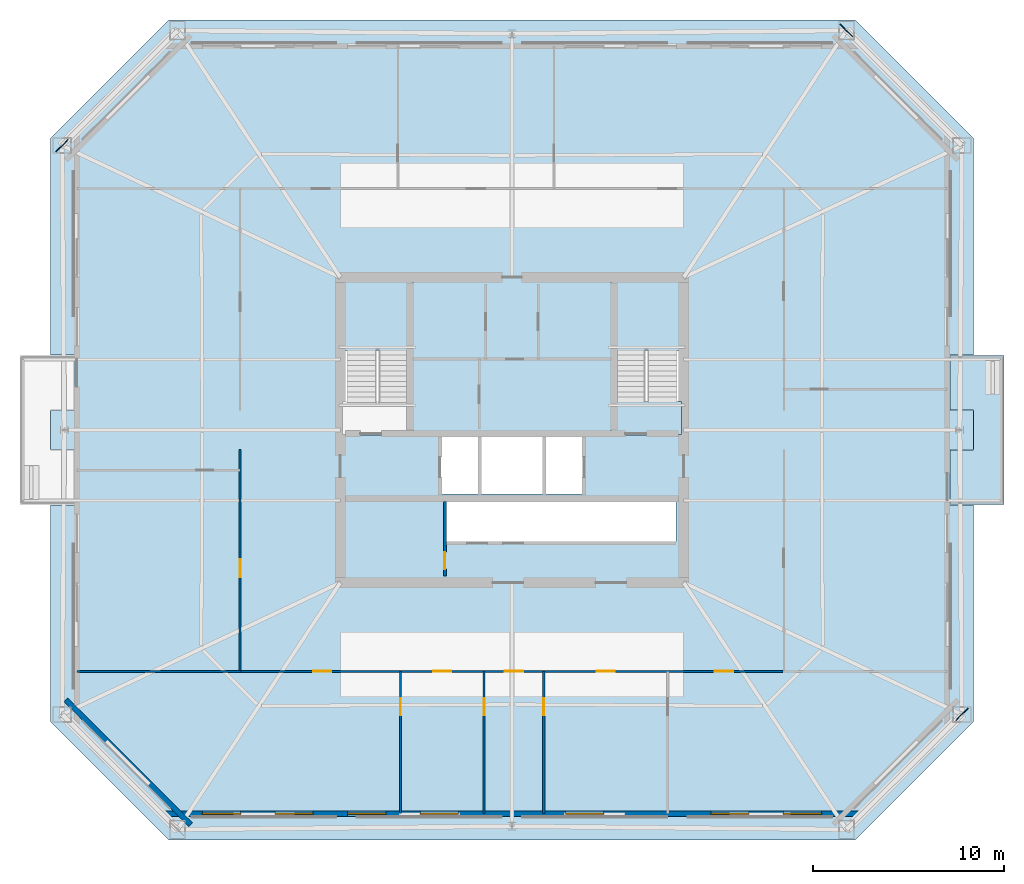
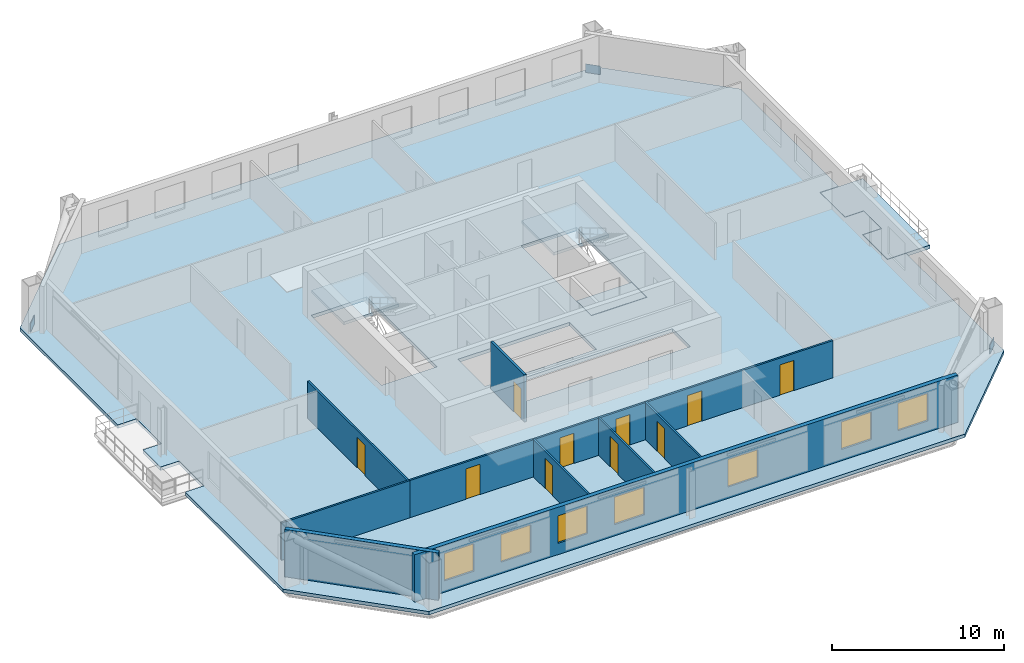
# One storey, part 2 of 8: 10 doors, 9 walls, 7 windows, 5 slabs, 3 plates, 17 openings, 2 elements without a shape of their own.
"""IFC4 building model written with IfcOpenShell, lengths in metres."""

import ifcopenshell
import ifcopenshell.guid

model = None  # the IFC model being written
_history = None  # IfcOwnerHistory: only IFC2X3 demands one
_inside = {}  # id of a spatial element -> (the spatial element, [elements in it])
_under = {}  # id of a project, library or spatial element -> (it, [spatial elements below it])
_declared = {}  # id of a project -> (the project, [libraries it declares])
_typed = {}  # id of a type object -> (the type object, [elements of that type])
_made_of = {}  # id of a material, layer set ... -> (it, [elements and type objects made of it])


def new_model(schema):
    """Start an empty IFC model of exactly this schema.

    Asked for "IFC4X3", IfcOpenShell would pick the latest addendum, in which some entities
    have other attributes; the version numbers below select the first issue.
    IFC2X3 requires an IfcOwnerHistory on every rooted entity: one is made here for all.
    """
    global model, _history
    if schema == "IFC4X3":
        model = ifcopenshell.file(schema_version=(4, 3, 0, 0))
    else:
        model = ifcopenshell.file(schema=schema)
    _inside.clear()
    _under.clear()
    _declared.clear()
    _typed.clear()
    _made_of.clear()
    _history = None
    if model.schema == "IFC2X3":
        org = make("IfcOrganization", Name="unknown")
        user = make(
            "IfcPersonAndOrganization",
            ThePerson=make("IfcPerson", FamilyName="unknown"),
            TheOrganization=org,
        )
        app = make(
            "IfcApplication",
            ApplicationDeveloper=org,
            Version="unknown",
            ApplicationFullName="unknown",
            ApplicationIdentifier="unknown",
        )
        _history = make(
            "IfcOwnerHistory",
            OwningUser=user,
            OwningApplication=app,
            ChangeAction="ADDED",
            CreationDate=0,
        )
    return model


def make(cls, **values):
    """One entity of the class cls with the attributes given. An attribute that is None is left unset."""
    return model.create_entity(
        cls, **{name: value for name, value in values.items() if value is not None}
    )


def rooted(cls, **values):
    """An entity with a GlobalId (a new one), such as an element, a storey or a relation."""
    return make(cls, GlobalId=ifcopenshell.guid.new(), OwnerHistory=_history, **values)


def si_unit(unit_type, name, prefix=None):
    """IfcSIUnit, for example si_unit("LENGTHUNIT", "METRE", prefix="MILLI")."""
    return make("IfcSIUnit", UnitType=unit_type, Prefix=prefix, Name=name)


def assignment(units):
    """IfcUnitAssignment: the units of a project."""
    return None if units is None else make("IfcUnitAssignment", Units=units)


def point(xyz):
    """IfcCartesianPoint."""
    return None if xyz is None else make("IfcCartesianPoint", Coordinates=xyz)


def direction(xyz):
    """IfcDirection."""
    return None if xyz is None else make("IfcDirection", DirectionRatios=xyz)


def frame(location, z_axis=None, x_axis=None):
    """IfcAxis2Placement3D, a coordinate frame: its origin and axes. An axis left out is left unset."""
    return make(
        "IfcAxis2Placement3D",
        Location=point(location),
        Axis=direction(z_axis),
        RefDirection=direction(x_axis),
    )


def frame_2d(location, x_axis=None):
    """IfcAxis2Placement2D, a coordinate frame in the plane: its origin and x axis."""
    return make(
        "IfcAxis2Placement2D", Location=point(location), RefDirection=direction(x_axis)
    )


def origin():
    """The frame at (0, 0, 0) with its axes left unset."""
    return frame((0.0, 0.0, 0.0))


def origin_2d():
    """The frame at (0, 0) in the plane with its x axis left unset."""
    return frame_2d((0.0, 0.0))


def place(relative_to, where):
    """IfcLocalPlacement: puts the frame where relative to a parent placement (None: the world)."""
    return make(
        "IfcLocalPlacement", PlacementRelTo=relative_to, RelativePlacement=where
    )


def context(
    kind, dimensions, precision=None, world=None, true_north=None, identifier=None
):
    """IfcGeometricRepresentationContext, for example the 3D "Model" context."""
    return make(
        "IfcGeometricRepresentationContext",
        ContextIdentifier=identifier,
        ContextType=kind,
        CoordinateSpaceDimension=dimensions,
        Precision=precision,
        WorldCoordinateSystem=world,
        TrueNorth=true_north,
    )


def subcontext(parent, identifier, kind, view, scale=None):
    """IfcGeometricRepresentationSubContext, for example "Body" below "Model"."""
    return make(
        "IfcGeometricRepresentationSubContext",
        ContextIdentifier=identifier,
        ContextType=kind,
        ParentContext=parent,
        TargetScale=scale,
        TargetView=view,
    )


def project(units=None, contexts=None):
    """IfcProject with its units and contexts."""
    return rooted(
        "IfcProject",
        Name="project",
        RepresentationContexts=contexts,
        UnitsInContext=assignment(units),
    )


def spatial(cls, under=None, at=None, **own):
    """A site, building, storey or space (cls), placed at a placement, below another one or the project."""
    s = rooted(cls, ObjectPlacement=at, **own)
    if under is not None:
        _under.setdefault(under.id(), (under, []))[1].append(s)
    return s


def polyline(points):
    """IfcPolyline through the points."""
    return make("IfcPolyline", Points=[point(p) for p in points])


def profile(cls, at=None, kind="AREA", **sizes):
    """A parametric profile (cls). Its sizes go by their IFC names, for example OverallWidth=200.0."""
    return make(cls, ProfileType=kind, Position=at, **sizes)


def rectangle(**sizes):
    """IfcRectangleProfileDef."""
    return profile("IfcRectangleProfileDef", **sizes)


def outline(outer, holes=None, kind="AREA"):
    """IfcArbitraryClosedProfileDef: a profile drawn as a closed curve; with holes, ...WithVoids."""
    if holes is None:
        return make("IfcArbitraryClosedProfileDef", ProfileType=kind, OuterCurve=outer)
    return make(
        "IfcArbitraryProfileDefWithVoids",
        ProfileType=kind,
        OuterCurve=outer,
        InnerCurves=holes,
    )


def extrude(swept, where, along, depth):
    """IfcExtrudedAreaSolid: the profile swept, set in the frame where, extruded along a direction by depth."""
    return make(
        "IfcExtrudedAreaSolid",
        SweptArea=swept,
        Position=where,
        ExtrudedDirection=direction(along),
        Depth=depth,
    )


def shape(context_of_items, identifier, shape_type, items):
    """IfcShapeRepresentation: the items that make up one representation, for example the "Body"."""
    return make(
        "IfcShapeRepresentation",
        ContextOfItems=context_of_items,
        RepresentationIdentifier=identifier,
        RepresentationType=shape_type,
        Items=items,
    )


def material(Name=None, Category=None):
    """IfcMaterial."""
    return make("IfcMaterial", Name=Name, Category=Category)


def layer(
    of_material, thickness, ventilated=None, Name=None, Category=None, Priority=None
):
    """IfcMaterialLayer: one layer of a wall or slab, of a material (None: an air gap)."""
    return make(
        "IfcMaterialLayer",
        Material=of_material,
        LayerThickness=thickness,
        IsVentilated=ventilated,
        Name=Name,
        Category=Category,
        Priority=Priority,
    )


def layer_set(layers, Name=None):
    """IfcMaterialLayerSet."""
    return make("IfcMaterialLayerSet", MaterialLayers=layers, LayerSetName=Name)


def made_of(thing, what):
    """Note that an element or type object is made of a material, layer set ...; save() writes the relation."""
    if what is not None:
        _made_of.setdefault(what.id(), (what, []))[1].append(thing)
    return thing


def type_object(cls, material=None, **own):
    """A type object (cls), such as IfcWallType, which elements share."""
    return made_of(rooted(cls, **own), material)


def element(
    cls,
    number,
    at=None,
    inside=None,
    cuts=None,
    type_object=None,
    material=None,
    context=None,
    identifier="Body",
    shape_type=None,
    held_by="IfcProductDefinitionShape",
    body=None,
    shapes=None,
    **own,
):
    """One element of the class cls, such as IfcWall. Its Tag is "e" and its number.

    at: its placement. inside: the storey or other place that contains it. cuts: it is an
    opening in that element (IfcRelVoidsElement). A single representation is given by context,
    identifier, shape_type and body (its items); several are given by shapes. held_by: the class
    of the entity that holds the representations. save() writes the other relations.
    """
    e = rooted(cls, Tag="e%d" % number, ObjectPlacement=at, **own)
    if body is not None:
        shapes = [shape(context, identifier, shape_type, body)]
    if shapes is not None:
        e.Representation = make(held_by, Representations=shapes)
    if inside is not None:
        _inside.setdefault(inside.id(), (inside, []))[1].append(e)
    if cuts is not None:
        rooted(
            "IfcRelVoidsElement", RelatingBuildingElement=cuts, RelatedOpeningElement=e
        )
    if type_object is not None:
        _typed.setdefault(type_object.id(), (type_object, []))[1].append(e)
    return made_of(e, material)


def fill(opening, filler):
    """IfcRelFillsElement: the door or window that sits in an opening."""
    return rooted(
        "IfcRelFillsElement",
        RelatingOpeningElement=opening,
        RelatedBuildingElement=filler,
    )


def aggregate(whole, parts):
    """IfcRelAggregates: a whole, such as a stair, and the parts it consists of."""
    return rooted("IfcRelAggregates", RelatingObject=whole, RelatedObjects=parts)


def save(model, path):
    """Write the relations noted so far, then the file.

    IfcRelAggregates (storeys below a building ...), IfcRelContainedInSpatialStructure (elements
    in a storey), IfcRelDefinesByType, IfcRelAssociatesMaterial and IfcRelDeclares: one each for
    every whole, place, type object, material and project.
    """
    for whole, parts in _under.values():
        aggregate(whole, parts)
    for where, things in _inside.values():
        rooted(
            "IfcRelContainedInSpatialStructure",
            RelatedElements=things,
            RelatingStructure=where,
        )
    for kind, things in _typed.values():
        rooted("IfcRelDefinesByType", RelatedObjects=things, RelatingType=kind)
    for what, things in _made_of.values():
        rooted("IfcRelAssociatesMaterial", RelatedObjects=things, RelatingMaterial=what)
    for by, libraries in _declared.values():
        rooted("IfcRelDeclares", RelatingContext=by, RelatedDefinitions=libraries)
    model.write(path)


model = new_model("IFC4")

# Units and contexts
model_context = context("Model", 3, precision=1e-05, world=origin(), true_north=direction((0.0, 1.0)))
body_context = subcontext(model_context, "Body", "Model", "MODEL_VIEW")
ifc_project = project(units=[si_unit("LENGTHUNIT", "METRE"), si_unit("AREAUNIT", "SQUARE_METRE"), si_unit("VOLUMEUNIT", "CUBIC_METRE"), si_unit("PLANEANGLEUNIT", "RADIAN"), si_unit("MASSUNIT", "GRAM", prefix="KILO")], contexts=[model_context])

# Site, building, storey
site_placement = place(None, origin())
site = spatial("IfcSite", under=ifc_project, at=site_placement, CompositionType="ELEMENT")
building_placement = place(site_placement, origin())
building = spatial("IfcBuilding", under=site, at=building_placement, Name="Caelvoria Tower", CompositionType="ELEMENT")
storey_placement = place(building_placement, frame((0.0, 0.0, 142.0)))
storey = spatial("IfcBuildingStorey", under=building, at=storey_placement, Name="L37", CompositionType="ELEMENT", Elevation=142.0)

# Plates
ifc_material_1 = material(Name="Structural Steel ASTM A572 Gr.50", Category="steel")
ifc_layer_1 = layer(ifc_material_1, 0.0400390625, Name="Structural Steel ASTM A572 Gr.50")
ifc_layer_set_1 = layer_set([ifc_layer_1], Name="Megaframe Node Gusset Plate 900x600x40 - Structural Steel ASTM A572 Gr.50")
plate_type = type_object("IfcPlateType", Name="Megaframe Node Gusset Plate 900x600x40", PredefinedType="USERDEFINED", material=ifc_layer_set_1)
for number, where, z_axis, x_axis, name in (
    (1, (69.59130859375, 17.084716796875, 0.02001953125), (0.0, 0.0, 1.0), (-0.708328749832, -0.705882697168, 0.0), "Chamfer Mega Brace Gusset L37 SE"),
    (2, (63.537841796875, 52.947998046875, 0.02001953125), (0.0, 0.0, 1.0), (0.708328749832, -0.705882697168, 0.0), "Chamfer Mega Brace Gusset L37 NE"),
    (3, (22.40869140625, 46.915283203125, 0.02001953125), (0.0, 0.0, 1.0), (0.708328749832, 0.705882697168, 0.0), "Chamfer Mega Brace Gusset L37 NW"),
):
    element("IfcPlate", number, at=place(storey_placement, frame(where, z_axis=z_axis, x_axis=x_axis)), inside=storey, type_object=plate_type, Name=name, ObjectType="GUSSET_PLATE", PredefinedType="USERDEFINED", context=body_context, shape_type="SweptSolid", body=[
        extrude(rectangle(XDim=0.89990234375, YDim=0.0400390625, at=origin_2d()), origin(), (0.0, 0.0, 1.0), 0.60009765625),
    ])

# Stair, slab
ifc_material_2 = material(Name="Concrete C40/50", Category="concrete")
stair_type = type_object("IfcStairType", Name="Core Smokeproof Dogleg Stair Concrete C40/50", PredefinedType="HALF_TURN_STAIR", material=ifc_material_2)
stair_1_placement = place(storey_placement, origin())
stair_1 = element("IfcStair", 4, at=stair_1_placement, inside=storey, type_object=stair_type, Name="ST-01 Smokeproof Exit Stair L37", PredefinedType="HALF_TURN_STAIR")
ifc_layer_2 = layer(ifc_material_2, 0.199951171875, Name="Concrete C40/50")
ifc_layer_set_2 = layer_set([ifc_layer_2], Name="Stair Half and Floor Landing Slab 200 Concrete C40/50 - Concrete C40/50")
slab_type_1 = type_object("IfcSlabType", Name="Stair Half and Floor Landing Slab 200 Concrete C40/50", PredefinedType="LANDING", material=ifc_layer_set_2)
slab_1_placement = place(storey_placement, frame((0.0, 0.0, 1.60009765625)))
slab_1 = element("IfcSlab", 5, at=slab_1_placement, type_object=slab_type_1, Name="ST-01 landing 2", PredefinedType="LANDING", context=body_context, shape_type="SweptSolid", body=[
    extrude(outline(polyline([(37.10009765625, 36.14990234375), (40.800048828125, 36.14990234375), (40.800048828125, 39.89990234375), (37.10009765625, 39.89990234375), (37.10009765625, 36.14990234375)])), origin(), (0.0, 0.0, 1.0), 0.199951171875),
])
aggregate(stair_1, [slab_1])

# Stair, slabs
stair_2_placement = place(storey_placement, origin())
stair_2 = element("IfcStair", 6, at=stair_2_placement, inside=storey, type_object=stair_type, Name="ST-02 Smokeproof Exit Stair L37", PredefinedType="HALF_TURN_STAIR")
slab_2_placement = place(storey_placement, frame((0.0, 0.0, -0.199951171875)))
slab_2 = element("IfcSlab", 7, at=slab_2_placement, type_object=slab_type_1, Name="ST-02 landing 1", PredefinedType="LANDING", context=body_context, shape_type="SweptSolid", body=[
    extrude(outline(polyline([(51.199951171875, 31.77001953125), (54.89990234375, 31.77001953125), (54.89990234375, 33.5), (51.199951171875, 33.5), (51.199951171875, 31.77001953125)])), origin(), (0.0, 0.0, 1.0), 0.199951171875),
])
slab_3_placement = place(storey_placement, frame((0.0, 0.0, 1.60009765625)))
slab_3 = element("IfcSlab", 8, at=slab_3_placement, type_object=slab_type_1, Name="ST-02 landing 2", PredefinedType="LANDING", context=body_context, shape_type="SweptSolid", body=[
    extrude(outline(polyline([(51.199951171875, 36.14990234375), (54.89990234375, 36.14990234375), (54.89990234375, 39.89990234375), (51.199951171875, 39.89990234375), (51.199951171875, 36.14990234375)])), origin(), (0.0, 0.0, 1.0), 0.199951171875),
])
aggregate(stair_2, [slab_2, slab_3])

# Slabs
ifc_layer_3 = layer(ifc_material_2, 0.239990234375, Name="Concrete C40/50")
ifc_layer_set_3 = layer_set([ifc_layer_3], Name="Tower Composite Office Slab 240 - Concrete C40/50")
slab_type_2 = type_object("IfcSlabType", Name="Tower Composite Office Slab 240", PredefinedType="FLOOR", material=ifc_layer_set_3)
slab_4_placement = place(storey_placement, frame((0.0, 0.0, -0.239990234375)))
element("IfcSlab", 9, at=slab_4_placement, inside=storey, type_object=slab_type_2, Name="Level L37 Structural Floor Slab", PredefinedType="FLOOR", context=body_context, shape_type="SweptSolid", body=[
    extrude(outline(polyline([(64.0, 53.5), (28.0, 53.5), (21.800048828125, 47.300048828125), (21.800048828125, 35.919921875), (23.06005859375, 35.919921875), (23.06005859375, 33.02001953125), (21.800048828125, 33.02001953125), (21.800048828125, 30.97998046875), (23.06005859375, 30.97998046875), (23.06005859375, 28.080078125), (21.800048828125, 28.080078125), (21.800048828125, 16.699951171875), (28.0, 10.5), (64.0, 10.5), (70.199951171875, 16.699951171875), (70.199951171875, 28.080078125), (68.93994140625, 28.080078125), (68.93994140625, 30.97998046875), (70.199951171875, 30.97998046875), (70.199951171875, 33.02001953125), (68.93994140625, 33.02001953125), (68.93994140625, 35.919921875), (70.199951171875, 35.919921875), (70.199951171875, 47.300048828125), (64.0, 53.5)]), holes=[polyline([(37.080078125, 31.75), (40.820068359375, 31.75), (40.820068359375, 39.919921875), (37.080078125, 39.919921875), (37.080078125, 31.75)]), polyline([(51.179931640625, 31.75), (54.919921875, 31.75), (54.919921875, 39.919921875), (51.179931640625, 39.919921875), (51.179931640625, 31.75)]), polyline([(42.25, 28.64990234375), (49.75, 28.64990234375), (49.75, 31.800048828125), (42.25, 31.800048828125), (42.25, 28.64990234375)]), polyline([(42.550048828125, 26.14990234375), (54.60009765625, 26.14990234375), (54.60009765625, 28.25), (42.550048828125, 28.25), (42.550048828125, 26.14990234375)])]), origin(), (0.0, 0.0, 1.0), 0.239990234375),
])
ifc_material_3 = material(Name="Concrete C45/55", Category="concrete")
ifc_layer_4 = layer(ifc_material_3, 0.25, Name="Concrete C45/55")
ifc_layer_set_4 = layer_set([ifc_layer_4], Name="Tree Balcony Structural Planter Slab 250 - Concrete C45/55")
slab_type_3 = type_object("IfcSlabType", Name="Tree Balcony Structural Planter Slab 250", PredefinedType="FLOOR", material=ifc_layer_set_4)
slab_5_placement = place(storey_placement, frame((0.0, 0.0, -0.25)))
element("IfcSlab", 10, at=slab_5_placement, inside=storey, type_object=slab_type_3, Name="Tree Balcony Slab TB-L37-E", PredefinedType="FLOOR", context=body_context, shape_type="SweptSolid", body=[
    extrude(outline(polyline([(70.199951171875, 35.89990234375), (68.9599609375, 35.89990234375), (68.9599609375, 33.0400390625), (70.199951171875, 33.0400390625), (70.199951171875, 30.9599609375), (68.9599609375, 30.9599609375), (68.9599609375, 28.10009765625), (70.199951171875, 28.10009765625), (71.800048828125, 28.10009765625), (71.800048828125, 35.89990234375), (70.199951171875, 35.89990234375)])), origin(), (0.0, 0.0, 1.0), 0.25),
])

# Wall, opening, door
ifc_material_4 = material(Name="Double Gypsum Board on Steel Stud", Category="steel")
ifc_layer_5 = layer(ifc_material_4, 0.14990234375, Name="Double Gypsum Board on Steel Stud")
ifc_layer_set_5 = layer_set([ifc_layer_5], Name="Core Service Acoustic Partition Wall 150 - Double Gypsum Board on Steel Stud")
wall_type_1 = type_object("IfcWallType", Name="Core Service Acoustic Partition Wall 150", PredefinedType="PARTITIONING", material=ifc_layer_set_5)
wall_1_placement = place(storey_placement, frame((42.47998046875, 24.35009765625, 0.0), z_axis=(0.0, 0.0, 1.0), x_axis=(0.0, 1.0, 0.0)))
wall_1 = element("IfcWall", 11, at=wall_1_placement, inside=storey, type_object=wall_type_1, Name="Interior Partition IW-L37-RECL1E", PredefinedType="PARTITIONING", context=body_context, shape_type="SweptSolid", body=[
    extrude(rectangle(XDim=3.89990234375, YDim=0.14990234375, at=frame_2d((1.949951171875, 0.0))), origin(), (0.0, 0.0, 1.0), 3.360107421875),
])
opening_1_placement = place(wall_1_placement, frame((0.35009765625, 0.0, 0.0)))
opening_1 = element("IfcOpeningElement", 12, at=opening_1_placement, cuts=wall_1, Name="Opening ID-04", PredefinedType="OPENING", context=body_context, shape_type="SweptSolid", body=[
    extrude(rectangle(XDim=0.89990234375, YDim=2.14990234375, at=frame_2d((0.449951171875, 1.074951171875))), frame((0.0, 0.0849609375, 0.0), z_axis=(0.0, -1.0, 0.0), x_axis=(1.0, 0.0, 0.0)), (0.0, 0.0, 1.0), 0.169921875),
])
ifc_material_5 = material(Name="Acoustic Timber Fire Door", Category="wood")
door_type_1 = type_object("IfcDoorType", Name="Fire Door FD30S 900x2150", OperationType="NOTDEFINED", PredefinedType="DOOR", material=ifc_material_5)
door_1_placement = place(opening_1_placement, origin())
door_1 = element("IfcDoor", 13, at=door_1_placement, inside=storey, type_object=door_type_1, Name="Interior Door DR-L37-RECL1", OperationType="SINGLE_SWING_LEFT", OverallHeight=2.14990234375, OverallWidth=0.89990234375, PredefinedType="DOOR", context=body_context, shape_type="SweptSolid", body=[
    extrude(rectangle(XDim=0.89990234375, YDim=2.14990234375, at=frame_2d((0.449951171875, 1.074951171875))), frame((0.0, 0.02490234375, 0.0), z_axis=(0.0, -1.0, 0.0), x_axis=(1.0, 0.0, 0.0)), (0.0, 0.0, 1.0), 0.050048828125),
])
fill(opening_1, door_1)

# Wall, openings, windows
ifc_material_6 = material(Name="Precast Concrete C40/50 with Bronze Cladding", Category="concrete")
ifc_layer_6 = layer(ifc_material_6, 0.280029296875, Name="Precast Concrete C40/50 with Bronze Cladding")
ifc_layer_set_6 = layer_set([ifc_layer_6], Name="Exterior Precast Concrete C40/50 Bronze-Clad Facade Wall 280 - Precast Concrete C40/50 with Bronze Cladding")
wall_type_2 = type_object("IfcWallType", Name="Exterior Precast Concrete C40/50 Bronze-Clad Facade Wall 280", PredefinedType="STANDARD", material=ifc_layer_set_6)
wall_2_placement = place(storey_placement, frame((27.760009765625, 11.8798828125, 0.0), z_axis=(0.0, 0.0, 1.0), x_axis=(1.0, 0.0, 0.0)))
wall_2 = element("IfcWall", 14, at=wall_2_placement, inside=storey, type_object=wall_type_2, Name="Exterior Facade Wall L37-E0", PredefinedType="STANDARD", context=body_context, shape_type="SweptSolid", body=[
    extrude(rectangle(XDim=36.47998046875, YDim=0.280029296875, at=frame_2d((18.239990234375, 0.0))), origin(), (0.0, 0.0, 1.0), 3.360107421875),
])
opening_2_placement = place(wall_2_placement, frame((2.00439453125, 0.0, 0.800048828125)))
opening_2 = element("IfcOpeningElement", 15, at=opening_2_placement, cuts=wall_2, Name="Opening WN-01", PredefinedType="OPENING", context=body_context, shape_type="SweptSolid", body=[
    extrude(rectangle(XDim=2.0, YDim=1.949951171875, at=frame_2d((1.0, 0.97509765625))), frame((0.0, 0.14990234375, 0.0), z_axis=(0.0, -1.0, 0.0), x_axis=(1.0, 0.0, 0.0)), (0.0, 0.0, 1.0), 0.300048828125),
])
opening_3_placement = place(wall_2_placement, frame((5.813232421875, 0.0, 0.800048828125)))
opening_3 = element("IfcOpeningElement", 16, at=opening_3_placement, cuts=wall_2, Name="Opening WN-01", PredefinedType="OPENING", context=body_context, shape_type="SweptSolid", body=[
    extrude(rectangle(XDim=2.0, YDim=1.949951171875, at=frame_2d((1.0, 0.97509765625))), frame((0.0, 0.14990234375, 0.0), z_axis=(0.0, -1.0, 0.0), x_axis=(1.0, 0.0, 0.0)), (0.0, 0.0, 1.0), 0.300048828125),
])
opening_4_placement = place(wall_2_placement, frame((9.622314453125, 0.0, 0.800048828125)))
opening_4 = element("IfcOpeningElement", 17, at=opening_4_placement, cuts=wall_2, Name="Opening WN-01", PredefinedType="OPENING", context=body_context, shape_type="SweptSolid", body=[
    extrude(rectangle(XDim=2.0, YDim=1.949951171875, at=frame_2d((1.0, 0.97509765625))), frame((0.0, 0.14990234375, 0.0), z_axis=(0.0, -1.0, 0.0), x_axis=(1.0, 0.0, 0.0)), (0.0, 0.0, 1.0), 0.300048828125),
])
opening_5_placement = place(wall_2_placement, frame((13.43115234375, 0.0, 0.800048828125)))
opening_5 = element("IfcOpeningElement", 18, at=opening_5_placement, cuts=wall_2, Name="Opening WN-01", PredefinedType="OPENING", context=body_context, shape_type="SweptSolid", body=[
    extrude(rectangle(XDim=2.0, YDim=1.949951171875, at=frame_2d((1.0, 0.97509765625))), frame((0.0, 0.14990234375, 0.0), z_axis=(0.0, -1.0, 0.0), x_axis=(1.0, 0.0, 0.0)), (0.0, 0.0, 1.0), 0.300048828125),
])
opening_6_placement = place(wall_2_placement, frame((21.048828125, 0.0, 0.800048828125)))
opening_6 = element("IfcOpeningElement", 19, at=opening_6_placement, cuts=wall_2, Name="Opening WN-01", PredefinedType="OPENING", context=body_context, shape_type="SweptSolid", body=[
    extrude(rectangle(XDim=2.0, YDim=1.949951171875, at=frame_2d((1.0, 0.97509765625))), frame((0.0, 0.14990234375, 0.0), z_axis=(0.0, -1.0, 0.0), x_axis=(1.0, 0.0, 0.0)), (0.0, 0.0, 1.0), 0.300048828125),
])
opening_7_placement = place(wall_2_placement, frame((28.666748046875, 0.0, 0.800048828125)))
opening_7 = element("IfcOpeningElement", 20, at=opening_7_placement, cuts=wall_2, Name="Opening WN-01", PredefinedType="OPENING", context=body_context, shape_type="SweptSolid", body=[
    extrude(rectangle(XDim=2.0, YDim=1.949951171875, at=frame_2d((1.0, 0.97509765625))), frame((0.0, 0.14990234375, 0.0), z_axis=(0.0, -1.0, 0.0), x_axis=(1.0, 0.0, 0.0)), (0.0, 0.0, 1.0), 0.300048828125),
])
opening_8_placement = place(wall_2_placement, frame((32.4755859375, 0.0, 0.800048828125)))
opening_8 = element("IfcOpeningElement", 21, at=opening_8_placement, cuts=wall_2, Name="Opening WN-01", PredefinedType="OPENING", context=body_context, shape_type="SweptSolid", body=[
    extrude(rectangle(XDim=2.0, YDim=1.949951171875, at=frame_2d((1.0, 0.97509765625))), frame((0.0, 0.14990234375, 0.0), z_axis=(0.0, -1.0, 0.0), x_axis=(1.0, 0.0, 0.0)), (0.0, 0.0, 1.0), 0.300048828125),
])
ifc_material_7 = material(Name="Low-E Tinted Glass in Bronze Aluminium Frame", Category="aluminium")
window_type = type_object("IfcWindowType", Name="Tower Office Vision Window 2000x1950", PartitioningType="SINGLE_PANEL", PredefinedType="WINDOW", material=ifc_material_7)
window_1_placement = place(opening_2_placement, origin())
window_1 = element("IfcWindow", 22, at=window_1_placement, inside=storey, type_object=window_type, Name="Facade Window L37-E0-00", OverallHeight=1.949951171875, OverallWidth=2.0, PartitioningType="SINGLE_PANEL", PredefinedType="WINDOW", context=body_context, shape_type="SweptSolid", body=[
    extrude(rectangle(XDim=2.0, YDim=1.949951171875, at=frame_2d((1.0, 0.97509765625))), frame((0.0, 0.030029296875, 0.0), z_axis=(0.0, -1.0, 0.0), x_axis=(1.0, 0.0, 0.0)), (0.0, 0.0, 1.0), 0.06005859375),
])
fill(opening_2, window_1)
window_2_placement = place(opening_3_placement, origin())
window_2 = element("IfcWindow", 23, at=window_2_placement, inside=storey, type_object=window_type, Name="Facade Window L37-E0-01", OverallHeight=1.949951171875, OverallWidth=2.0, PartitioningType="SINGLE_PANEL", PredefinedType="WINDOW", context=body_context, shape_type="SweptSolid", body=[
    extrude(rectangle(XDim=2.0, YDim=1.949951171875, at=frame_2d((1.0, 0.97509765625))), frame((0.0, 0.030029296875, 0.0), z_axis=(0.0, -1.0, 0.0), x_axis=(1.0, 0.0, 0.0)), (0.0, 0.0, 1.0), 0.06005859375),
])
fill(opening_3, window_2)
window_3_placement = place(opening_4_placement, origin())
window_3 = element("IfcWindow", 24, at=window_3_placement, inside=storey, type_object=window_type, Name="Facade Window L37-E0-02", OverallHeight=1.949951171875, OverallWidth=2.0, PartitioningType="SINGLE_PANEL", PredefinedType="WINDOW", context=body_context, shape_type="SweptSolid", body=[
    extrude(rectangle(XDim=2.0, YDim=1.949951171875, at=frame_2d((1.0, 0.97509765625))), frame((0.0, 0.030029296875, 0.0), z_axis=(0.0, -1.0, 0.0), x_axis=(1.0, 0.0, 0.0)), (0.0, 0.0, 1.0), 0.06005859375),
])
fill(opening_4, window_3)
window_4_placement = place(opening_5_placement, origin())
window_4 = element("IfcWindow", 25, at=window_4_placement, inside=storey, type_object=window_type, Name="Facade Window L37-E0-03", OverallHeight=1.949951171875, OverallWidth=2.0, PartitioningType="SINGLE_PANEL", PredefinedType="WINDOW", context=body_context, shape_type="SweptSolid", body=[
    extrude(rectangle(XDim=2.0, YDim=1.949951171875, at=frame_2d((1.0, 0.97509765625))), frame((0.0, 0.030029296875, 0.0), z_axis=(0.0, -1.0, 0.0), x_axis=(1.0, 0.0, 0.0)), (0.0, 0.0, 1.0), 0.06005859375),
])
fill(opening_5, window_4)
window_5_placement = place(opening_6_placement, origin())
window_5 = element("IfcWindow", 26, at=window_5_placement, inside=storey, type_object=window_type, Name="Facade Window L37-E0-05", OverallHeight=1.949951171875, OverallWidth=2.0, PartitioningType="SINGLE_PANEL", PredefinedType="WINDOW", context=body_context, shape_type="SweptSolid", body=[
    extrude(rectangle(XDim=2.0, YDim=1.949951171875, at=frame_2d((1.0, 0.97509765625))), frame((0.0, 0.030029296875, 0.0), z_axis=(0.0, -1.0, 0.0), x_axis=(1.0, 0.0, 0.0)), (0.0, 0.0, 1.0), 0.06005859375),
])
fill(opening_6, window_5)
window_6_placement = place(opening_7_placement, origin())
window_6 = element("IfcWindow", 27, at=window_6_placement, inside=storey, type_object=window_type, Name="Facade Window L37-E0-07", OverallHeight=1.949951171875, OverallWidth=2.0, PartitioningType="SINGLE_PANEL", PredefinedType="WINDOW", context=body_context, shape_type="SweptSolid", body=[
    extrude(rectangle(XDim=2.0, YDim=1.949951171875, at=frame_2d((1.0, 0.97509765625))), frame((0.0, 0.030029296875, 0.0), z_axis=(0.0, -1.0, 0.0), x_axis=(1.0, 0.0, 0.0)), (0.0, 0.0, 1.0), 0.06005859375),
])
fill(opening_7, window_6)
window_7_placement = place(opening_8_placement, origin())
window_7 = element("IfcWindow", 28, at=window_7_placement, inside=storey, type_object=window_type, Name="Facade Window L37-E0-08", OverallHeight=1.949951171875, OverallWidth=2.0, PartitioningType="SINGLE_PANEL", PredefinedType="WINDOW", context=body_context, shape_type="SweptSolid", body=[
    extrude(rectangle(XDim=2.0, YDim=1.949951171875, at=frame_2d((1.0, 0.97509765625))), frame((0.0, 0.030029296875, 0.0), z_axis=(0.0, -1.0, 0.0), x_axis=(1.0, 0.0, 0.0)), (0.0, 0.0, 1.0), 0.06005859375),
])
fill(opening_8, window_7)

# Wall
wall_3_placement = place(storey_placement, frame((22.606201171875, 17.845458984375, 0.0), z_axis=(0.0, 0.0, 1.0), x_axis=(0.707106781187, -0.707106781187, 0.0)))
element("IfcWall", 29, at=wall_3_placement, inside=storey, type_object=wall_type_2, Name="Exterior Facade Wall L37-E7", PredefinedType="STANDARD", context=body_context, shape_type="SweptSolid", body=[
    extrude(rectangle(XDim=9.248046875, YDim=0.280029296875, at=frame_2d((4.6240234375, 0.0))), origin(), (0.0, 0.0, 1.0), 3.360107421875),
])

# Wall, opening, door
ifc_material_8 = material(Name="Acoustic Gypsum Board on Light-Gauge Stud", Category="gypsum")
ifc_layer_7 = layer(ifc_material_8, 0.1201171875, Name="Acoustic Gypsum Board on Light-Gauge Stud")
ifc_layer_set_7 = layer_set([ifc_layer_7], Name="Tenant Suite Acoustic Partition Wall 120 - Acoustic Gypsum Board on Light-Gauge Stud")
wall_type_3 = type_object("IfcWallType", Name="Tenant Suite Acoustic Partition Wall 120", PredefinedType="PARTITIONING", material=ifc_layer_set_7)
wall_4_placement = place(storey_placement, frame((40.15234375, 19.340087890625, 0.0), z_axis=(0.0, 0.0, 1.0), x_axis=(0.0, -1.0, 0.0)))
wall_4 = element("IfcWall", 30, at=wall_4_placement, inside=storey, type_object=wall_type_3, Name="Interior Partition IW-L37-SD-00-0", PredefinedType="PARTITIONING", context=body_context, shape_type="SweptSolid", body=[
    extrude(rectangle(XDim=7.460205078125, YDim=0.1201171875, at=frame_2d((3.72998046875, 0.0))), origin(), (0.0, 0.0, 1.0), 2.639892578125),
])
opening_9_placement = place(wall_4_placement, frame((1.39990234375, 0.0, 0.0)))
opening_9 = element("IfcOpeningElement", 31, at=opening_9_placement, cuts=wall_4, Name="Opening ID-06", PredefinedType="OPENING", context=body_context, shape_type="SweptSolid", body=[
    extrude(rectangle(XDim=0.89990234375, YDim=2.14990234375, at=frame_2d((0.449951171875, 1.074951171875))), frame((0.0, 0.070068359375, 0.0), z_axis=(0.0, -1.0, 0.0), x_axis=(1.0, 0.0, 0.0)), (0.0, 0.0, 1.0), 0.14013671875),
])
ifc_material_9 = material(Name="Engineered Andean Oak Veneer Door", Category="wood")
door_type_2 = type_object("IfcDoorType", Name="Interior Timber Door 900x2150", OperationType="NOTDEFINED", PredefinedType="DOOR", material=ifc_material_9)
door_2_placement = place(opening_9_placement, origin())
door_2 = element("IfcDoor", 32, at=door_2_placement, inside=storey, type_object=door_type_2, Name="Interior Door DR-L37-SM-00-0", OperationType="SINGLE_SWING_RIGHT", OverallHeight=2.14990234375, OverallWidth=0.89990234375, PredefinedType="DOOR", context=body_context, shape_type="SweptSolid", body=[
    extrude(rectangle(XDim=0.89990234375, YDim=2.14990234375, at=frame_2d((0.449951171875, 1.074951171875))), frame((0.0, 0.02490234375, 0.0), z_axis=(0.0, -1.0, 0.0), x_axis=(1.0, 0.0, 0.0)), (0.0, 0.0, 1.0), 0.050048828125),
])
fill(opening_9, door_2)

wall_5_placement = place(storey_placement, frame((44.534423828125, 19.340087890625, 0.0), z_axis=(0.0, 0.0, 1.0), x_axis=(0.0, -1.0, 0.0)))
wall_5 = element("IfcWall", 33, at=wall_5_placement, inside=storey, type_object=wall_type_3, Name="Interior Partition IW-L37-SD-01-0", PredefinedType="PARTITIONING", context=body_context, shape_type="SweptSolid", body=[
    extrude(rectangle(XDim=7.460205078125, YDim=0.1201171875, at=frame_2d((3.72998046875, 0.0))), origin(), (0.0, 0.0, 1.0), 2.639892578125),
])
opening_10_placement = place(wall_5_placement, frame((1.39990234375, 0.0, 0.0)))
opening_10 = element("IfcOpeningElement", 34, at=opening_10_placement, cuts=wall_5, Name="Opening ID-06", PredefinedType="OPENING", context=body_context, shape_type="SweptSolid", body=[
    extrude(rectangle(XDim=0.89990234375, YDim=2.14990234375, at=frame_2d((0.449951171875, 1.074951171875))), frame((0.0, 0.070068359375, 0.0), z_axis=(0.0, -1.0, 0.0), x_axis=(1.0, 0.0, 0.0)), (0.0, 0.0, 1.0), 0.14013671875),
])
door_3_placement = place(opening_10_placement, origin())
door_3 = element("IfcDoor", 35, at=door_3_placement, inside=storey, type_object=door_type_2, Name="Interior Door DR-L37-SM-01-0", OperationType="SINGLE_SWING_LEFT", OverallHeight=2.14990234375, OverallWidth=0.89990234375, PredefinedType="DOOR", context=body_context, shape_type="SweptSolid", body=[
    extrude(rectangle(XDim=0.89990234375, YDim=2.14990234375, at=frame_2d((0.449951171875, 1.074951171875))), frame((0.0, 0.02490234375, 0.0), z_axis=(0.0, -1.0, 0.0), x_axis=(1.0, 0.0, 0.0)), (0.0, 0.0, 1.0), 0.050048828125),
])
fill(opening_10, door_3)

wall_6_placement = place(storey_placement, frame((47.6708984375, 19.340087890625, 0.0), z_axis=(0.0, 0.0, 1.0), x_axis=(0.0, -1.0, 0.0)))
wall_6 = element("IfcWall", 36, at=wall_6_placement, inside=storey, type_object=wall_type_3, Name="Interior Partition IW-L37-SD-02-0", PredefinedType="PARTITIONING", context=body_context, shape_type="SweptSolid", body=[
    extrude(rectangle(XDim=7.460205078125, YDim=0.1201171875, at=frame_2d((3.72998046875, 0.0))), origin(), (0.0, 0.0, 1.0), 2.639892578125),
])
opening_11_placement = place(wall_6_placement, frame((1.39990234375, 0.0, 0.0)))
opening_11 = element("IfcOpeningElement", 37, at=opening_11_placement, cuts=wall_6, Name="Opening ID-06", PredefinedType="OPENING", context=body_context, shape_type="SweptSolid", body=[
    extrude(rectangle(XDim=0.89990234375, YDim=2.14990234375, at=frame_2d((0.449951171875, 1.074951171875))), frame((0.0, 0.070068359375, 0.0), z_axis=(0.0, -1.0, 0.0), x_axis=(1.0, 0.0, 0.0)), (0.0, 0.0, 1.0), 0.14013671875),
])
door_4_placement = place(opening_11_placement, origin())
door_4 = element("IfcDoor", 38, at=door_4_placement, inside=storey, type_object=door_type_2, Name="Interior Door DR-L37-SM-02-0", OperationType="SINGLE_SWING_RIGHT", OverallHeight=2.14990234375, OverallWidth=0.89990234375, PredefinedType="DOOR", context=body_context, shape_type="SweptSolid", body=[
    extrude(rectangle(XDim=0.89990234375, YDim=2.14990234375, at=frame_2d((0.449951171875, 1.074951171875))), frame((0.0, 0.02490234375, 0.0), z_axis=(0.0, -1.0, 0.0), x_axis=(1.0, 0.0, 0.0)), (0.0, 0.0, 1.0), 0.050048828125),
])
fill(opening_11, door_4)

# Wall, openings, doors
wall_7_placement = place(storey_placement, frame((31.800048828125, 19.340087890625, 0.0), z_axis=(0.0, 0.0, 1.0), x_axis=(1.0, 0.0, 0.0)))
wall_7 = element("IfcWall", 39, at=wall_7_placement, inside=storey, type_object=wall_type_3, Name="Interior Partition IW-L37-SCW-0", PredefinedType="PARTITIONING", context=body_context, shape_type="SweptSolid", body=[
    extrude(rectangle(XDim=28.39990234375, YDim=0.1201171875, at=frame_2d((14.199951171875, 0.0))), origin(), (0.0, 0.0, 1.0), 2.639892578125),
])
opening_12_placement = place(wall_7_placement, frame((3.771240234375, 0.0, 0.0)))
opening_12 = element("IfcOpeningElement", 40, at=opening_12_placement, cuts=wall_7, Name="Opening ID-05", PredefinedType="OPENING", context=body_context, shape_type="SweptSolid", body=[
    extrude(rectangle(XDim=0.949951171875, YDim=2.14990234375, at=frame_2d((0.47509765625, 1.074951171875))), frame((0.0, 0.070068359375, 0.0), z_axis=(0.0, -1.0, 0.0), x_axis=(1.0, 0.0, 0.0)), (0.0, 0.0, 1.0), 0.14013671875),
])
opening_13_placement = place(wall_7_placement, frame((10.068359375, 0.0, 0.0)))
opening_13 = element("IfcOpeningElement", 41, at=opening_13_placement, cuts=wall_7, Name="Opening ID-05", PredefinedType="OPENING", context=body_context, shape_type="SweptSolid", body=[
    extrude(rectangle(XDim=0.949951171875, YDim=2.14990234375, at=frame_2d((0.47509765625, 1.074951171875))), frame((0.0, 0.070068359375, 0.0), z_axis=(0.0, -1.0, 0.0), x_axis=(1.0, 0.0, 0.0)), (0.0, 0.0, 1.0), 0.14013671875),
])
opening_14_placement = place(wall_7_placement, frame((13.82763671875, 0.0, 0.0)))
opening_14 = element("IfcOpeningElement", 42, at=opening_14_placement, cuts=wall_7, Name="Opening ID-05", PredefinedType="OPENING", context=body_context, shape_type="SweptSolid", body=[
    extrude(rectangle(XDim=0.949951171875, YDim=2.14990234375, at=frame_2d((0.47509765625, 1.074951171875))), frame((0.0, 0.070068359375, 0.0), z_axis=(0.0, -1.0, 0.0), x_axis=(1.0, 0.0, 0.0)), (0.0, 0.0, 1.0), 0.14013671875),
])
opening_15_placement = place(wall_7_placement, frame((18.647705078125, 0.0, 0.0)))
opening_15 = element("IfcOpeningElement", 43, at=opening_15_placement, cuts=wall_7, Name="Opening ID-05", PredefinedType="OPENING", context=body_context, shape_type="SweptSolid", body=[
    extrude(rectangle(XDim=0.949951171875, YDim=2.14990234375, at=frame_2d((0.47509765625, 1.074951171875))), frame((0.0, 0.070068359375, 0.0), z_axis=(0.0, -1.0, 0.0), x_axis=(1.0, 0.0, 0.0)), (0.0, 0.0, 1.0), 0.14013671875),
])
opening_16_placement = place(wall_7_placement, frame((24.84228515625, 0.0, 0.0)))
opening_16 = element("IfcOpeningElement", 44, at=opening_16_placement, cuts=wall_7, Name="Opening ID-05", PredefinedType="OPENING", context=body_context, shape_type="SweptSolid", body=[
    extrude(rectangle(XDim=0.949951171875, YDim=2.14990234375, at=frame_2d((0.47509765625, 1.074951171875))), frame((0.0, 0.070068359375, 0.0), z_axis=(0.0, -1.0, 0.0), x_axis=(1.0, 0.0, 0.0)), (0.0, 0.0, 1.0), 0.14013671875),
])
door_type_3 = type_object("IfcDoorType", Name="Interior Timber Door 950x2150", OperationType="NOTDEFINED", PredefinedType="DOOR", material=ifc_material_9)
door_5_placement = place(opening_12_placement, origin())
door_5 = element("IfcDoor", 45, at=door_5_placement, inside=storey, type_object=door_type_3, Name="Interior Door DR-L37-SC-00-0", OperationType="SINGLE_SWING_RIGHT", OverallHeight=2.14990234375, OverallWidth=0.949951171875, PredefinedType="DOOR", context=body_context, shape_type="SweptSolid", body=[
    extrude(rectangle(XDim=0.949951171875, YDim=2.14990234375, at=frame_2d((0.47509765625, 1.074951171875))), frame((0.0, 0.02490234375, 0.0), z_axis=(0.0, -1.0, 0.0), x_axis=(1.0, 0.0, 0.0)), (0.0, 0.0, 1.0), 0.050048828125),
])
fill(opening_12, door_5)
door_6_placement = place(opening_13_placement, origin())
door_6 = element("IfcDoor", 46, at=door_6_placement, inside=storey, type_object=door_type_3, Name="Interior Door DR-L37-SC-01-0", OperationType="SINGLE_SWING_LEFT", OverallHeight=2.14990234375, OverallWidth=0.949951171875, PredefinedType="DOOR", context=body_context, shape_type="SweptSolid", body=[
    extrude(rectangle(XDim=0.949951171875, YDim=2.14990234375, at=frame_2d((0.47509765625, 1.074951171875))), frame((0.0, 0.02490234375, 0.0), z_axis=(0.0, -1.0, 0.0), x_axis=(1.0, 0.0, 0.0)), (0.0, 0.0, 1.0), 0.050048828125),
])
fill(opening_13, door_6)
door_7_placement = place(opening_14_placement, origin())
door_7 = element("IfcDoor", 47, at=door_7_placement, inside=storey, type_object=door_type_3, Name="Interior Door DR-L37-SC-02-0", OperationType="SINGLE_SWING_RIGHT", OverallHeight=2.14990234375, OverallWidth=0.949951171875, PredefinedType="DOOR", context=body_context, shape_type="SweptSolid", body=[
    extrude(rectangle(XDim=0.949951171875, YDim=2.14990234375, at=frame_2d((0.47509765625, 1.074951171875))), frame((0.0, 0.02490234375, 0.0), z_axis=(0.0, -1.0, 0.0), x_axis=(1.0, 0.0, 0.0)), (0.0, 0.0, 1.0), 0.050048828125),
])
fill(opening_14, door_7)
door_8_placement = place(opening_15_placement, origin())
door_8 = element("IfcDoor", 48, at=door_8_placement, inside=storey, type_object=door_type_3, Name="Interior Door DR-L37-SC-03-0", OperationType="SINGLE_SWING_LEFT", OverallHeight=2.14990234375, OverallWidth=0.949951171875, PredefinedType="DOOR", context=body_context, shape_type="SweptSolid", body=[
    extrude(rectangle(XDim=0.949951171875, YDim=2.14990234375, at=frame_2d((0.47509765625, 1.074951171875))), frame((0.0, 0.02490234375, 0.0), z_axis=(0.0, -1.0, 0.0), x_axis=(1.0, 0.0, 0.0)), (0.0, 0.0, 1.0), 0.050048828125),
])
fill(opening_15, door_8)
door_9_placement = place(opening_16_placement, origin())
door_9 = element("IfcDoor", 49, at=door_9_placement, inside=storey, type_object=door_type_3, Name="Interior Door DR-L37-SC-04-0", OperationType="SINGLE_SWING_RIGHT", OverallHeight=2.14990234375, OverallWidth=0.949951171875, PredefinedType="DOOR", context=body_context, shape_type="SweptSolid", body=[
    extrude(rectangle(XDim=0.949951171875, YDim=2.14990234375, at=frame_2d((0.47509765625, 1.074951171875))), frame((0.0, 0.02490234375, 0.0), z_axis=(0.0, -1.0, 0.0), x_axis=(1.0, 0.0, 0.0)), (0.0, 0.0, 1.0), 0.050048828125),
])
fill(opening_16, door_9)

# Wall, opening, door
wall_8_placement = place(storey_placement, frame((31.739990234375, 19.39990234375, 0.0), z_axis=(0.0, 0.0, 1.0), x_axis=(0.0, 1.0, 0.0)))
wall_8 = element("IfcWall", 50, at=wall_8_placement, inside=storey, type_object=wall_type_3, Name="Interior Partition IW-L37-WCW-0", PredefinedType="PARTITIONING", context=body_context, shape_type="SweptSolid", body=[
    extrude(rectangle(XDim=11.580078125, YDim=0.1201171875, at=frame_2d((5.7900390625, 0.0))), origin(), (0.0, 0.0, 1.0), 2.639892578125),
])
opening_17_placement = place(wall_8_placement, frame((4.868408203125, 0.0, 0.0)))
opening_17 = element("IfcOpeningElement", 51, at=opening_17_placement, cuts=wall_8, Name="Opening ID-05", PredefinedType="OPENING", context=body_context, shape_type="SweptSolid", body=[
    extrude(rectangle(XDim=0.949951171875, YDim=2.14990234375, at=frame_2d((0.47509765625, 1.074951171875))), frame((0.0, 0.070068359375, 0.0), z_axis=(0.0, -1.0, 0.0), x_axis=(1.0, 0.0, 0.0)), (0.0, 0.0, 1.0), 0.14013671875),
])
door_10_placement = place(opening_17_placement, origin())
door_10 = element("IfcDoor", 52, at=door_10_placement, inside=storey, type_object=door_type_3, Name="Interior Door DR-L37-WC-00-0", OperationType="SINGLE_SWING_RIGHT", OverallHeight=2.14990234375, OverallWidth=0.949951171875, PredefinedType="DOOR", context=body_context, shape_type="SweptSolid", body=[
    extrude(rectangle(XDim=0.949951171875, YDim=2.14990234375, at=frame_2d((0.47509765625, 1.074951171875))), frame((0.0, 0.02490234375, 0.0), z_axis=(0.0, -1.0, 0.0), x_axis=(1.0, 0.0, 0.0)), (0.0, 0.0, 1.0), 0.050048828125),
])
fill(opening_17, door_10)

# Wall
wall_9_placement = place(storey_placement, frame((31.800048828125, 19.340087890625, 0.0), z_axis=(0.0, 0.0, 1.0), x_axis=(-1.0, 0.0, 0.0)))
element("IfcWall", 53, at=wall_9_placement, inside=storey, type_object=wall_type_3, Name="Interior Partition IW-L37-BSW-0", PredefinedType="PARTITIONING", context=body_context, shape_type="SweptSolid", body=[
    extrude(rectangle(XDim=8.6201171875, YDim=0.1201171875, at=frame_2d((4.31005859375, 0.0))), origin(), (0.0, 0.0, 1.0), 2.639892578125),
])

save(model, "model.ifc")
